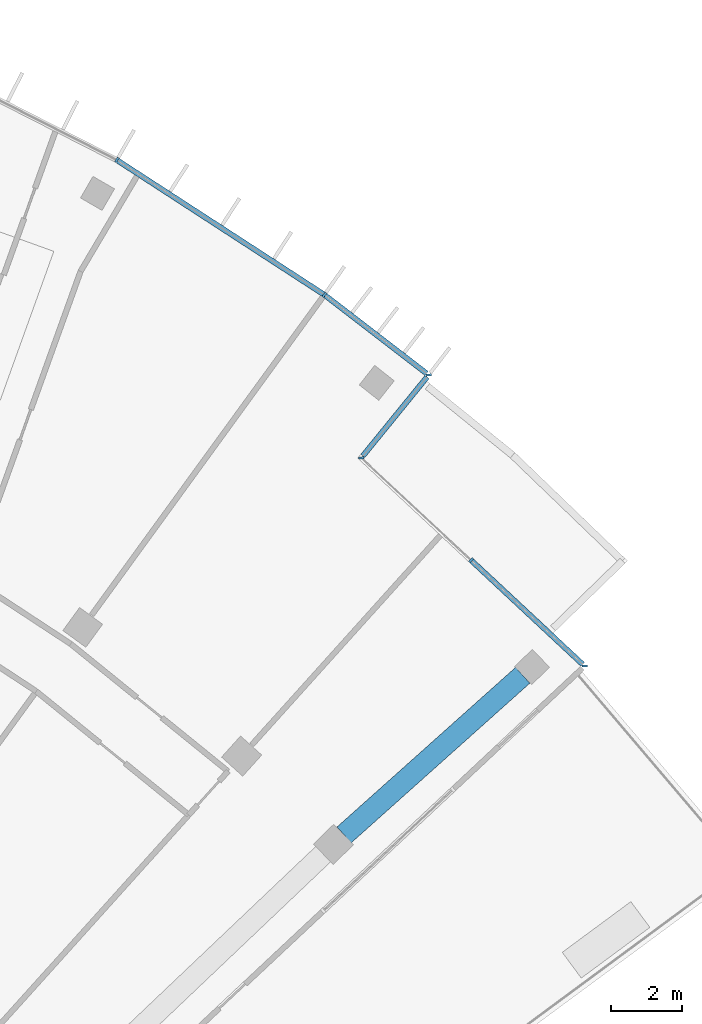
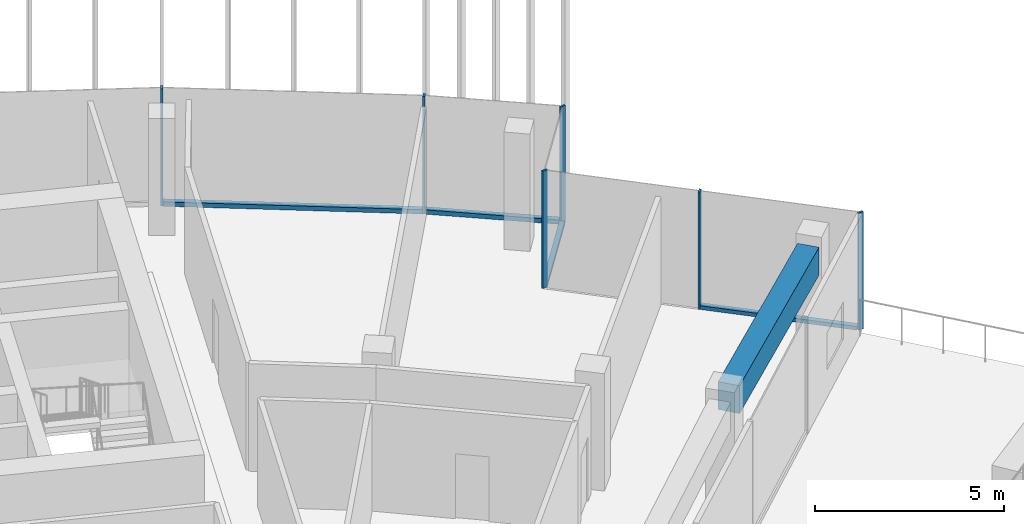
# One storey, part 9 of 19: 10 members, 1 beam, 3 elements without a shape of their own.
"""IFC4 building model written with IfcOpenShell, lengths in metres."""

from ifc_helpers import new_model, si_unit, direction, frame, origin, origin_2d, place, context, subcontext, project, spatial, rectangle, extrude, material, layer, layer_set, material_profile, profile_set, type_object, element, aggregate, save


model = new_model("IFC4")

# Units and contexts
model_context = context("Model", 3, precision=1e-05, world=origin(), true_north=direction((0.0, 1.0)))
body_context = subcontext(model_context, "Body", "Model", "MODEL_VIEW")
ifc_project = project(units=[si_unit("LENGTHUNIT", "METRE"), si_unit("AREAUNIT", "SQUARE_METRE"), si_unit("VOLUMEUNIT", "CUBIC_METRE"), si_unit("PLANEANGLEUNIT", "RADIAN"), si_unit("MASSUNIT", "GRAM", prefix="KILO")], contexts=[model_context])

# Site, building, storey
site_placement = place(None, origin())
site = spatial("IfcSite", under=ifc_project, at=site_placement, CompositionType="ELEMENT")
building_placement = place(site_placement, origin())
building = spatial("IfcBuilding", under=site, at=building_placement, Name="Stone Belt Terrace Tower", CompositionType="ELEMENT")
storey_placement = place(building_placement, frame((0.0, 0.0, 258.0)))
storey = spatial("IfcBuildingStorey", under=building, at=storey_placement, Name="L62", CompositionType="ELEMENT", Elevation=258.0)

# Curtain wall, members
ifc_material_1 = material(Name="Aluminium 6063-T6 anodised frame", Category="aluminium")
ifc_layer_1 = layer(ifc_material_1, 0.14990234375)
ifc_layer_set_1 = layer_set([ifc_layer_1], Name="CW-A unitised convex-face curtain wall")
curtain_wall_type_1 = type_object("IfcCurtainWallType", Name="CW-A unitised convex-face curtain wall", PredefinedType="NOTDEFINED", material=ifc_layer_set_1)
curtain_wall_1_placement = place(storey_placement, origin())
curtain_wall_1 = element("IfcCurtainWall", 1, at=curtain_wall_1_placement, inside=storey, type_object=curtain_wall_type_1, Name="CW-A convex face L62", PredefinedType="NOTDEFINED")
ifc_material_profile_1 = material_profile(ifc_material_1, rectangle(XDim=0.14990234375, YDim=0.06005859375, at=origin_2d()), Name="Aluminium 6063-T6 60x150")
ifc_profile_set_1 = profile_set([ifc_material_profile_1], Name="Aluminium 6063-T6 anodised frame")
member_type_1 = type_object("IfcMemberType", Name="CW-A mullion 60 x 150", PredefinedType="MULLION", material=ifc_profile_set_1)
member_1_placement = place(storey_placement, frame((42.068359375, 51.60205078125, 0.0), z_axis=(0.0, 0.0, 1.0), x_axis=(-0.993258004644, -0.115924700604, 0.0)))
member_1 = element("IfcMember", 2, at=member_1_placement, type_object=member_type_1, Name="CW-A mullion 1", PredefinedType="MULLION", context=body_context, shape_type="SweptSolid", body=[
    extrude(rectangle(XDim=0.14990234375, YDim=0.06005859375, at=origin_2d()), origin(), (0.0, 0.0, 1.0), 3.800048828125),
])
member_2_placement = place(storey_placement, frame((39.131103515625, 53.86083984375, 0.0), z_axis=(0.0, 0.0, 1.0), x_axis=(-0.577587125789, -0.816329046477, 0.0)))
member_2 = element("IfcMember", 3, at=member_2_placement, type_object=member_type_1, Name="CW-A mullion 2", PredefinedType="MULLION", context=body_context, shape_type="SweptSolid", body=[
    extrude(rectangle(XDim=0.14990234375, YDim=0.06005859375, at=origin_2d()), origin(), (0.0, 0.0, 1.0), 3.800048828125),
])
member_3_placement = place(storey_placement, frame((33.28759765625, 57.65576171875, 0.0), z_axis=(0.0, 0.0, 1.0), x_axis=(-0.5, -0.866025403784, 0.0)))
member_3 = element("IfcMember", 4, at=member_3_placement, type_object=member_type_1, Name="CW-A mullion 3", PredefinedType="MULLION", context=body_context, shape_type="SweptSolid", body=[
    extrude(rectangle(XDim=0.14990234375, YDim=0.06005859375, at=origin_2d()), origin(), (0.0, 0.0, 1.0), 3.800048828125),
])
ifc_material_profile_2 = material_profile(ifc_material_1, rectangle(XDim=0.14990234375, YDim=0.139892578125, at=origin_2d()), Name="Aluminium 6063-T6 150x140")
ifc_profile_set_2 = profile_set([ifc_material_profile_2], Name="Aluminium 6063-T6 anodised frame")
member_type_2 = type_object("IfcMemberType", Name="CW-A transom 140 x 150", PredefinedType="USERDEFINED", material=ifc_profile_set_2)
member_4_placement = place(storey_placement, frame((42.00927734375, 51.6474609375, 0.070068359375), z_axis=(-0.79269461464, 0.609618936648, 0.0), x_axis=(-0.609618936648, -0.79269461464, 0.0)))
member_4 = element("IfcMember", 5, at=member_4_placement, type_object=member_type_2, Name="CW-A transom 1.1", ObjectType="TRANSOM", PredefinedType="USERDEFINED", context=body_context, shape_type="SweptSolid", body=[
    extrude(rectangle(XDim=0.14990234375, YDim=0.139892578125, at=origin_2d()), origin(), (0.0, 0.0, 1.0), 3.597900390625),
])
member_5_placement = place(storey_placement, frame((39.103515625, 53.87890625, 0.070068359375), z_axis=(-0.83868440714, 0.544617723931, 0.0), x_axis=(-0.544617723931, -0.83868440714, 0.0)))
member_5 = element("IfcMember", 6, at=member_5_placement, type_object=member_type_2, Name="CW-A transom 2.1", ObjectType="TRANSOM", PredefinedType="USERDEFINED", context=body_context, shape_type="SweptSolid", body=[
    extrude(rectangle(XDim=0.14990234375, YDim=0.139892578125, at=origin_2d()), origin(), (0.0, 0.0, 1.0), 6.90087890625),
])
aggregate(curtain_wall_1, [member_1, member_2, member_3, member_4, member_5])

ifc_layer_2 = layer(ifc_material_1, 0.14990234375)
ifc_layer_set_2 = layer_set([ifc_layer_2], Name="CW-C stick curtain wall, horn ends and notches")
curtain_wall_type_2 = type_object("IfcCurtainWallType", Name="CW-C stick curtain wall, horn ends and notches", PredefinedType="NOTDEFINED", material=ifc_layer_set_2)
curtain_wall_2_placement = place(storey_placement, origin())
curtain_wall_2 = element("IfcCurtainWall", 7, at=curtain_wall_2_placement, inside=storey, type_object=curtain_wall_type_2, Name="CW-C notch face L62", PredefinedType="NOTDEFINED")
ifc_material_profile_3 = material_profile(ifc_material_1, rectangle(XDim=0.14990234375, YDim=0.06005859375, at=origin_2d()), Name="Aluminium 6063-T6 60x150")
ifc_profile_set_3 = profile_set([ifc_material_profile_3], Name="Aluminium 6063-T6 anodised frame")
member_type_3 = type_object("IfcMemberType", Name="CW-C mullion 60 x 150", PredefinedType="MULLION", material=ifc_profile_set_3)
member_6_placement = place(storey_placement, frame((46.458740234375, 43.405517578125, 0.0), z_axis=(0.0, 0.0, 1.0), x_axis=(-0.999999447771, -0.00105093149, 0.0)))
member_6 = element("IfcMember", 8, at=member_6_placement, type_object=member_type_3, Name="CW-C mullion 1", PredefinedType="MULLION", context=body_context, shape_type="SweptSolid", body=[
    extrude(rectangle(XDim=0.14990234375, YDim=0.06005859375, at=origin_2d()), origin(), (0.0, 0.0, 1.0), 3.800048828125),
])
member_7_placement = place(storey_placement, frame((43.260009765625, 46.388671875, 0.0), z_axis=(0.0, 0.0, 1.0), x_axis=(-0.682013767261, -0.731339333871, 0.0)))
member_7 = element("IfcMember", 9, at=member_7_placement, type_object=member_type_3, Name="CW-C mullion 2", PredefinedType="MULLION", context=body_context, shape_type="SweptSolid", body=[
    extrude(rectangle(XDim=0.14990234375, YDim=0.06005859375, at=origin_2d()), origin(), (0.0, 0.0, 1.0), 3.800048828125),
])

# Curtain wall, member
curtain_wall_3_placement = place(storey_placement, origin())
curtain_wall_3 = element("IfcCurtainWall", 10, at=curtain_wall_3_placement, inside=storey, type_object=curtain_wall_type_2, Name="CW-C notch face L62", PredefinedType="NOTDEFINED")
member_8_placement = place(storey_placement, frame((40.1708984375, 49.269287109375, 0.0), z_axis=(0.0, 0.0, 1.0), x_axis=(-0.997639702696, -0.068666029474, 0.0)))
member_8 = element("IfcMember", 11, at=member_8_placement, type_object=member_type_3, Name="CW-C mullion 1", PredefinedType="MULLION", context=body_context, shape_type="SweptSolid", body=[
    extrude(rectangle(XDim=0.14990234375, YDim=0.06005859375, at=origin_2d()), origin(), (0.0, 0.0, 1.0), 3.800048828125),
])

# Member
ifc_material_profile_4 = material_profile(ifc_material_1, rectangle(XDim=0.14990234375, YDim=0.1201171875, at=origin_2d()), Name="Aluminium 6063-T6 150x120")
ifc_profile_set_4 = profile_set([ifc_material_profile_4], Name="Aluminium 6063-T6 anodised frame")
member_type_4 = type_object("IfcMemberType", Name="CW-C transom 120 x 150", PredefinedType="USERDEFINED", material=ifc_profile_set_4)
member_9_placement = place(storey_placement, frame((46.40380859375, 43.456787109375, 0.06005859375), z_axis=(-0.731353784958, 0.681998270693, 0.0), x_axis=(-0.681998270693, -0.731353784958, 0.0)))
member_9 = element("IfcMember", 12, at=member_9_placement, type_object=member_type_4, Name="CW-C transom 1.1", ObjectType="TRANSOM", PredefinedType="USERDEFINED", context=body_context, shape_type="SweptSolid", body=[
    extrude(rectangle(XDim=0.14990234375, YDim=0.1201171875, at=origin_2d()), origin(), (0.0, 0.0, 1.0), 4.268798828125),
])

aggregate(curtain_wall_2, [member_6, member_7, member_9])

member_10_placement = place(storey_placement, frame((40.217041015625, 49.325927734375, 0.06005859375), z_axis=(0.631026504781, 0.775761271439, 0.0), x_axis=(-0.775761271439, 0.631026504781, 0.0)))
member_10 = element("IfcMember", 13, at=member_10_placement, type_object=member_type_4, Name="CW-C transom 1.1", ObjectType="TRANSOM", PredefinedType="USERDEFINED", context=body_context, shape_type="SweptSolid", body=[
    extrude(rectangle(XDim=0.14990234375, YDim=0.1201171875, at=origin_2d()), origin(), (0.0, 0.0, 1.0), 2.859130859375),
])

aggregate(curtain_wall_3, [member_8, member_10])

# Beam
ifc_material_2 = material(Name="Concrete B60", Category="concrete")
ifc_material_profile_5 = material_profile(ifc_material_2, rectangle(XDim=0.60009765625, YDim=0.89990234375, at=origin_2d()), Name="RC 600x900")
ifc_profile_set_5 = profile_set([ifc_material_profile_5], Name="Concrete B60")
beam_type = type_object("IfcBeamType", Name="Edge beam RC 600x900 B60", PredefinedType="SPANDREL", material=ifc_profile_set_5)
beam_placement = place(storey_placement, frame((39.68701171875, 38.65380859375, 3.030029296875), z_axis=(0.745651125692, 0.666336550666, 0.0), x_axis=(-0.666336550666, 0.745651125692, 0.0)))
element("IfcBeam", 14, at=beam_placement, inside=storey, type_object=beam_type, Name="Edge beam L62 B Q to R", PredefinedType="SPANDREL", context=body_context, shape_type="SweptSolid", body=[
    extrude(rectangle(XDim=0.60009765625, YDim=0.89990234375, at=origin_2d()), origin(), (0.0, 0.0, 1.0), 6.744140625),
])

save(model, "model.ifc")
